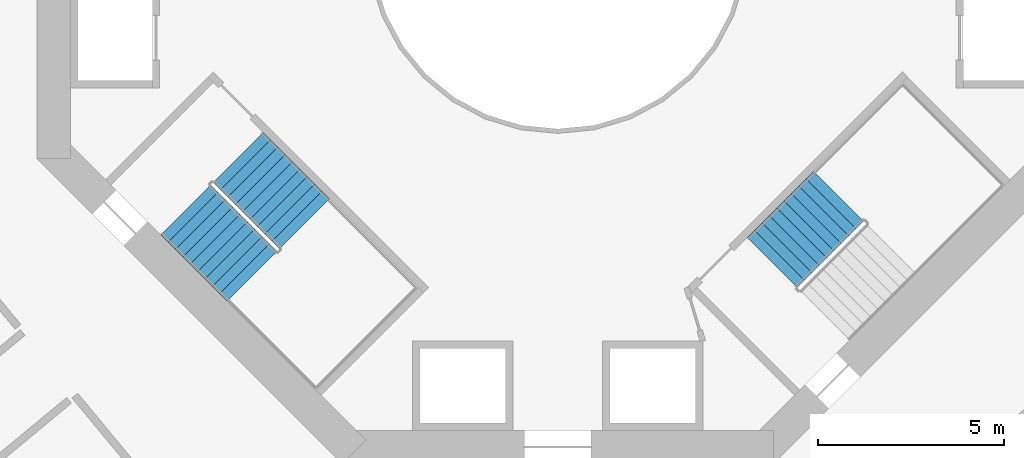
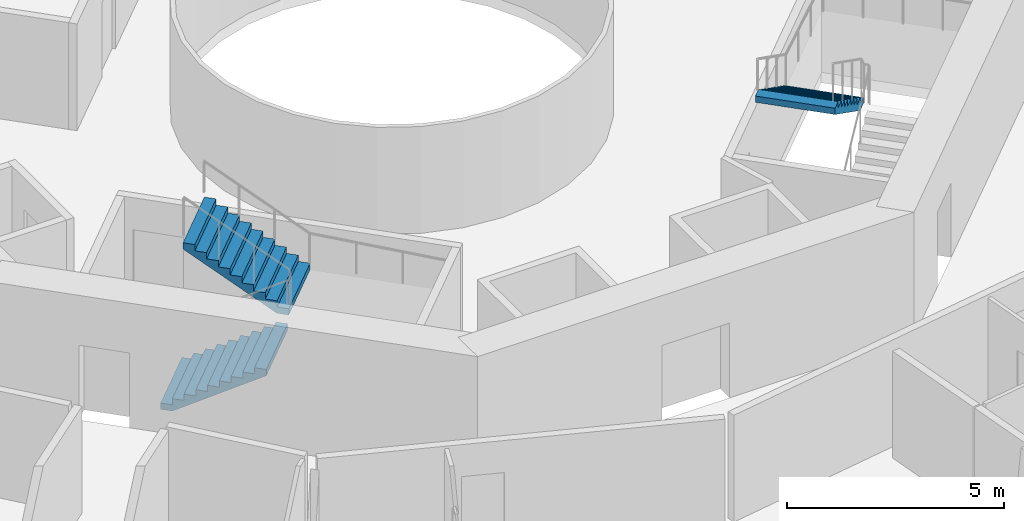
# One storey, part 25 of 27: 3 stair flights, 2 elements without a shape of their own.
"""IFC4 building model written with IfcOpenShell, lengths in metres."""

from ifc_helpers import new_model, si_unit, direction, frame, origin, place, context, subcontext, project, spatial, triangles, material, type_object, element, aggregate, save


model = new_model("IFC4")

# Units and contexts
model_context = context("Model", 3, precision=1e-05, world=origin(), true_north=direction((0.0, 1.0)))
body_context = subcontext(model_context, "Body", "Model", "MODEL_VIEW")
ifc_project = project(units=[si_unit("LENGTHUNIT", "METRE"), si_unit("AREAUNIT", "SQUARE_METRE"), si_unit("VOLUMEUNIT", "CUBIC_METRE"), si_unit("PLANEANGLEUNIT", "RADIAN"), si_unit("MASSUNIT", "GRAM", prefix="KILO")], contexts=[model_context])

# Site, building, storey
site_placement = place(None, origin())
site = spatial("IfcSite", under=ifc_project, at=site_placement, CompositionType="ELEMENT")
building_placement = place(site_placement, origin())
building = spatial("IfcBuilding", under=site, at=building_placement, Name="Verdalira Terraces Hotel", CompositionType="ELEMENT")
storey_placement = place(building_placement, frame((0.0, 0.0, 71.5)))
storey = spatial("IfcBuildingStorey", under=building, at=storey_placement, Name="L16", CompositionType="ELEMENT", Elevation=71.5)

# Stair, stair flights
ifc_material_1 = material(Name="Concrete C40", Category="concrete")
stair_type = type_object("IfcStairType", Name="Core stair 20 risers 1900 mm wide", PredefinedType="HALF_TURN_STAIR", material=ifc_material_1)
stair_1_placement = place(storey_placement, origin())
stair_1 = element("IfcStair", 1, at=stair_1_placement, inside=storey, type_object=stair_type, Name="L16 Exit stair ST2", PredefinedType="HALF_TURN_STAIR")
ifc_material_2 = material(Name="Concrete C40", Category="concrete")
stair_flight_type = type_object("IfcStairFlightType", Name="Core stair flight 20 risers 1900 mm wide", PredefinedType="STRAIGHT", material=ifc_material_2)
stair_flight_1_placement = place(storey_placement, frame((-10.005615, -7.177246, 0.0), z_axis=(0.0, 0.0, 1.0), x_axis=(0.707106781, -0.707106781, 0.0)))
stair_flight_1 = element("IfcStairFlight", 2, at=stair_flight_1_placement, type_object=stair_flight_type, Name="ST2 flight 1", NumberOfRisers=10, NumberOfTreads=9, PredefinedType="STRAIGHT", RiserHeight=0.175, TreadLength=0.28, context=body_context, shape_type="Tessellation", body=[
    triangles([(0.0, 0.949951, 0.0), (0.282715, 0.949951, 0.0), (2.52002, 0.949951, 1.398193), (0.0, -0.949951, 0.0), (0.282715, -0.949951, 0.0), (2.52002, -0.949951, 1.398193), (2.52002, 0.949951, 1.574951), (2.23999, 0.949951, 1.574951), (2.52002, -0.949951, 1.574951), (2.23999, -0.949951, 1.574951), (2.23999, 0.949951, 1.399902), (2.23999, -0.949951, 1.399902), (1.959961, 0.949951, 1.399902), (1.959961, -0.949951, 1.399902), (1.959961, 0.949951, 1.225098), (1.959961, -0.949951, 1.225098), (1.679932, 0.949951, 1.225098), (1.679932, 0.949951, 1.050049), (1.679932, -0.949951, 1.225098), (1.679932, -0.949951, 1.050049), (1.399902, 0.949951, 1.050049), (1.399902, 0.949951, 0.875), (1.399902, -0.949951, 1.050049), (1.399902, -0.949951, 0.875), (1.120117, 0.949951, 0.875), (1.120117, 0.949951, 0.699951), (1.120117, -0.949951, 0.875), (1.120117, -0.949951, 0.699951), (0.840088, 0.949951, 0.699951), (0.840088, 0.949951, 0.524902), (0.840088, -0.949951, 0.699951), (0.840088, -0.949951, 0.524902), (0.560059, 0.949951, 0.524902), (0.560059, 0.949951, 0.350098), (0.560059, -0.949951, 0.524902), (0.560059, -0.949951, 0.350098), (0.280029, 0.949951, 0.350098), (0.280029, 0.949951, 0.175049), (0.280029, -0.949951, 0.350098), (0.280029, -0.949951, 0.175049), (0.0, 0.949951, 0.175049), (0.0, -0.949951, 0.175049), (0.0, -0.890579, 0.0), (0.0, -0.890579, 0.175049), (0.0, -0.831207, 0.0), (0.0, -0.831207, 0.175049), (0.0, -0.771835, 0.0), (0.0, -0.771835, 0.175049), (0.0, -0.712463, 0.0), (0.0, -0.712463, 0.175049), (0.0, -0.653091, 0.0), (0.0, -0.653091, 0.175049), (0.0, -0.593719, 0.0), (0.0, -0.593719, 0.175049), (0.0, -0.534348, 0.0), (0.0, -0.534348, 0.175049), (0.0, -0.474976, 0.0), (0.0, -0.474976, 0.175049), (0.0, -0.415604, 0.0), (0.0, -0.415604, 0.175049), (0.0, -0.356232, 0.0), (0.0, -0.356232, 0.175049), (0.0, -0.29686, 0.0), (0.0, -0.29686, 0.175049), (0.0, -0.237488, 0.0), (0.0, -0.237488, 0.175049), (0.0, -0.178116, 0.0), (0.0, -0.178116, 0.175049), (0.0, -0.118744, 0.0), (0.0, -0.118744, 0.175049), (0.0, -0.059372, 0.0), (0.0, -0.059372, 0.175049), (0.0, 0.0, 0.0), (0.0, 0.0, 0.175049), (0.0, 0.059372, 0.0), (0.0, 0.059372, 0.175049), (0.0, 0.118744, 0.0), (0.0, 0.118744, 0.175049), (0.0, 0.178116, 0.0), (0.0, 0.178116, 0.175049), (0.0, 0.237488, 0.0), (0.0, 0.237488, 0.175049), (0.0, 0.29686, 0.0), (0.0, 0.29686, 0.175049), (0.0, 0.356232, 0.0), (0.0, 0.356232, 0.175049), (0.0, 0.415604, 0.0), (0.0, 0.415604, 0.175049), (0.0, 0.474976, 0.0), (0.0, 0.474976, 0.175049), (0.0, 0.534348, 0.0), (0.0, 0.534348, 0.175049), (0.0, 0.593719, 0.0), (0.0, 0.593719, 0.175049), (0.0, 0.653091, 0.0), (0.0, 0.653091, 0.175049), (0.0, 0.712463, 0.0), (0.0, 0.712463, 0.175049), (0.0, 0.771835, 0.0), (0.0, 0.771835, 0.175049), (0.0, 0.831207, 0.0), (0.0, 0.831207, 0.175049), (0.0, 0.890579, 0.0), (0.0, 0.890579, 0.175049), (2.52002, -0.890579, 1.574951), (2.52002, -0.831207, 1.574951), (2.52002, -0.771835, 1.574951), (2.52002, -0.712463, 1.574951), (2.52002, -0.653091, 1.574951), (2.52002, -0.593719, 1.574951), (2.52002, -0.534348, 1.574951), (2.52002, -0.474976, 1.574951), (2.52002, -0.415604, 1.574951), (2.52002, -0.356232, 1.574951), (2.52002, -0.29686, 1.574951), (2.52002, -0.237488, 1.574951), (2.52002, -0.178116, 1.574951), (2.52002, -0.118744, 1.574951), (2.52002, -0.059372, 1.574951), (2.52002, 0.0, 1.574951), (2.52002, 0.059372, 1.574951), (2.52002, 0.118744, 1.574951), (2.52002, 0.178116, 1.574951), (2.52002, 0.237488, 1.574951), (2.52002, 0.29686, 1.574951), (2.52002, 0.356232, 1.574951), (2.52002, 0.415604, 1.574951), (2.52002, 0.474976, 1.574951), (2.52002, 0.534348, 1.574951), (2.52002, 0.593719, 1.574951), (2.52002, 0.653091, 1.574951), (2.52002, 0.712463, 1.574951), (2.52002, 0.771835, 1.574951), (2.52002, 0.831207, 1.574951), (2.52002, 0.890579, 1.574951), (2.52002, -0.890579, 1.398193), (2.52002, -0.831207, 1.398193), (2.52002, -0.771835, 1.398193), (2.52002, -0.712463, 1.398193), (2.52002, -0.653091, 1.398193), (2.52002, -0.593719, 1.398193), (2.52002, -0.534348, 1.398193), (2.52002, -0.474976, 1.398193), (2.52002, -0.415604, 1.398193), (2.52002, -0.356232, 1.398193), (2.52002, -0.29686, 1.398193), (2.52002, -0.237488, 1.398193), (2.52002, -0.178116, 1.398193), (2.52002, -0.118744, 1.398193), (2.52002, -0.059372, 1.398193), (2.52002, 0.0, 1.398193), (2.52002, 0.059372, 1.398193), (2.52002, 0.118744, 1.398193), (2.52002, 0.178116, 1.398193), (2.52002, 0.237488, 1.398193), (2.52002, 0.29686, 1.398193), (2.52002, 0.356232, 1.398193), (2.52002, 0.415604, 1.398193), (2.52002, 0.474976, 1.398193), (2.52002, 0.534348, 1.398193), (2.52002, 0.593719, 1.398193), (2.52002, 0.653091, 1.398193), (2.52002, 0.712463, 1.398193), (2.52002, 0.771835, 1.398193), (2.52002, 0.831207, 1.398193), (2.52002, 0.890579, 1.398193)], [[1, 3, 2], [4, 5, 6], [3, 8, 7], [6, 9, 10], [3, 11, 8], [6, 10, 12], [3, 13, 11], [6, 12, 14], [3, 15, 13], [6, 14, 16], [15, 18, 17], [16, 19, 20], [3, 18, 15], [6, 16, 20], [18, 22, 21], [20, 23, 24], [3, 22, 18], [6, 20, 24], [22, 26, 25], [24, 27, 28], [3, 26, 22], [6, 24, 28], [26, 30, 29], [28, 31, 32], [3, 30, 26], [6, 28, 32], [1, 30, 3], [4, 6, 32], [30, 34, 33], [32, 35, 36], [34, 38, 37], [36, 39, 40], [30, 38, 34], [32, 36, 40], [1, 38, 30], [4, 32, 40], [38, 1, 41], [40, 42, 4], [4, 44, 43], [4, 42, 44], [43, 46, 45], [43, 44, 46], [45, 48, 47], [45, 46, 48], [47, 50, 49], [47, 48, 50], [49, 52, 51], [49, 50, 52], [51, 54, 53], [51, 52, 54], [53, 56, 55], [53, 54, 56], [55, 58, 57], [55, 56, 58], [57, 60, 59], [57, 58, 60], [59, 62, 61], [59, 60, 62], [61, 64, 63], [61, 62, 64], [63, 66, 65], [63, 64, 66], [65, 68, 67], [65, 66, 68], [67, 70, 69], [67, 68, 70], [69, 72, 71], [69, 70, 72], [71, 74, 73], [71, 72, 74], [73, 76, 75], [73, 74, 76], [75, 78, 77], [75, 76, 78], [77, 80, 79], [77, 78, 80], [79, 82, 81], [79, 80, 82], [81, 84, 83], [81, 82, 84], [83, 86, 85], [83, 84, 86], [85, 88, 87], [85, 86, 88], [87, 90, 89], [87, 88, 90], [89, 92, 91], [89, 90, 92], [91, 94, 93], [91, 92, 94], [93, 96, 95], [93, 94, 96], [95, 98, 97], [95, 96, 98], [97, 100, 99], [97, 98, 100], [99, 102, 101], [99, 100, 102], [101, 104, 103], [101, 102, 104], [103, 41, 1], [103, 104, 41], [42, 40, 44], [44, 40, 46], [46, 40, 48], [48, 40, 50], [50, 40, 52], [52, 40, 54], [54, 40, 56], [56, 40, 58], [58, 40, 60], [60, 40, 62], [62, 40, 64], [64, 40, 66], [66, 40, 68], [68, 40, 70], [70, 40, 72], [72, 40, 74], [74, 40, 76], [76, 40, 78], [78, 40, 80], [80, 40, 82], [82, 40, 84], [84, 40, 86], [86, 40, 88], [88, 40, 90], [90, 40, 92], [92, 40, 94], [94, 40, 96], [96, 40, 98], [98, 40, 100], [100, 40, 102], [102, 40, 104], [104, 40, 41], [41, 40, 38], [40, 37, 38], [40, 39, 37], [39, 34, 37], [39, 36, 34], [36, 33, 34], [36, 35, 33], [35, 30, 33], [35, 32, 30], [32, 29, 30], [32, 31, 29], [31, 26, 29], [31, 28, 26], [28, 25, 26], [28, 27, 25], [27, 22, 25], [27, 24, 22], [24, 21, 22], [24, 23, 21], [23, 18, 21], [23, 20, 18], [20, 17, 18], [20, 19, 17], [19, 15, 17], [19, 16, 15], [16, 13, 15], [16, 14, 13], [14, 11, 13], [14, 12, 11], [12, 8, 11], [12, 10, 8], [9, 105, 10], [105, 106, 10], [106, 107, 10], [107, 108, 10], [108, 109, 10], [109, 110, 10], [110, 111, 10], [111, 112, 10], [112, 113, 10], [113, 114, 10], [114, 115, 10], [115, 116, 10], [116, 117, 10], [117, 118, 10], [118, 119, 10], [119, 120, 10], [120, 121, 10], [121, 122, 10], [122, 123, 10], [123, 124, 10], [124, 125, 10], [125, 126, 10], [126, 127, 10], [127, 128, 10], [128, 129, 10], [129, 130, 10], [130, 131, 10], [131, 132, 10], [132, 133, 10], [133, 134, 10], [134, 135, 10], [135, 7, 10], [7, 8, 10], [9, 136, 105], [9, 6, 136], [105, 137, 106], [105, 136, 137], [106, 138, 107], [106, 137, 138], [107, 139, 108], [107, 138, 139], [108, 140, 109], [108, 139, 140], [109, 141, 110], [109, 140, 141], [110, 142, 111], [110, 141, 142], [111, 143, 112], [111, 142, 143], [112, 144, 113], [112, 143, 144], [113, 145, 114], [113, 144, 145], [114, 146, 115], [114, 145, 146], [115, 147, 116], [115, 146, 147], [116, 148, 117], [116, 147, 148], [117, 149, 118], [117, 148, 149], [118, 150, 119], [118, 149, 150], [119, 151, 120], [119, 150, 151], [120, 152, 121], [120, 151, 152], [121, 153, 122], [121, 152, 153], [122, 154, 123], [122, 153, 154], [123, 155, 124], [123, 154, 155], [124, 156, 125], [124, 155, 156], [125, 157, 126], [125, 156, 157], [126, 158, 127], [126, 157, 158], [127, 159, 128], [127, 158, 159], [128, 160, 129], [128, 159, 160], [129, 161, 130], [129, 160, 161], [130, 162, 131], [130, 161, 162], [131, 163, 132], [131, 162, 163], [132, 164, 133], [132, 163, 164], [133, 165, 134], [133, 164, 165], [134, 166, 135], [134, 165, 166], [135, 3, 7], [135, 166, 3], [6, 5, 136], [136, 5, 137], [137, 5, 138], [138, 5, 139], [139, 5, 140], [140, 5, 141], [141, 5, 142], [142, 5, 143], [143, 5, 144], [144, 5, 145], [145, 5, 146], [146, 5, 147], [147, 5, 148], [148, 5, 149], [149, 5, 150], [150, 5, 151], [151, 5, 152], [152, 5, 153], [153, 5, 154], [154, 5, 155], [155, 5, 156], [156, 5, 157], [157, 5, 158], [158, 5, 159], [159, 5, 160], [160, 5, 161], [161, 5, 162], [162, 5, 163], [163, 5, 164], [164, 5, 165], [165, 5, 166], [166, 5, 3], [3, 5, 2], [4, 43, 5], [43, 45, 5], [45, 47, 5], [47, 49, 5], [49, 51, 5], [51, 53, 5], [53, 55, 5], [55, 57, 5], [57, 59, 5], [59, 61, 5], [61, 63, 5], [63, 65, 5], [65, 67, 5], [67, 69, 5], [69, 71, 5], [71, 73, 5], [73, 75, 5], [75, 77, 5], [77, 79, 5], [79, 81, 5], [81, 83, 5], [83, 85, 5], [85, 87, 5], [87, 89, 5], [89, 91, 5], [91, 93, 5], [93, 95, 5], [95, 97, 5], [97, 99, 5], [99, 101, 5], [101, 103, 5], [103, 1, 5], [1, 2, 5]], closed=True),
])
stair_flight_2_placement = place(storey_placement, frame((-6.809326, -7.544922, 1.75), z_axis=(0.0, 0.0, 1.0), x_axis=(-0.707106781, 0.707106781, 0.0)))
stair_flight_2 = element("IfcStairFlight", 3, at=stair_flight_2_placement, type_object=stair_flight_type, Name="ST2 flight 2", NumberOfRisers=10, NumberOfTreads=9, PredefinedType="STRAIGHT", RiserHeight=0.175, TreadLength=0.28, context=body_context, shape_type="Tessellation", body=[
    triangles([(0.0, 0.949951, 0.0), (0.282715, 0.949951, 0.0), (2.52002, 0.949951, 1.398193), (0.0, -0.949951, 0.0), (0.282715, -0.949951, 0.0), (2.52002, -0.949951, 1.398193), (2.52002, 0.949951, 1.574951), (2.23999, 0.949951, 1.574951), (2.52002, -0.949951, 1.574951), (2.23999, -0.949951, 1.574951), (2.23999, 0.949951, 1.399902), (2.23999, -0.949951, 1.399902), (1.959961, 0.949951, 1.399902), (1.959961, -0.949951, 1.399902), (1.959961, 0.949951, 1.225098), (1.959961, -0.949951, 1.225098), (1.679932, 0.949951, 1.225098), (1.679932, 0.949951, 1.050049), (1.679932, -0.949951, 1.225098), (1.679932, -0.949951, 1.050049), (1.399902, 0.949951, 1.050049), (1.399902, 0.949951, 0.875), (1.399902, -0.949951, 1.050049), (1.399902, -0.949951, 0.875), (1.120117, 0.949951, 0.875), (1.120117, 0.949951, 0.699951), (1.120117, -0.949951, 0.875), (1.120117, -0.949951, 0.699951), (0.840088, 0.949951, 0.699951), (0.840088, 0.949951, 0.524902), (0.840088, -0.949951, 0.699951), (0.840088, -0.949951, 0.524902), (0.560059, 0.949951, 0.524902), (0.560059, 0.949951, 0.350098), (0.560059, -0.949951, 0.524902), (0.560059, -0.949951, 0.350098), (0.280029, 0.949951, 0.350098), (0.280029, 0.949951, 0.175049), (0.280029, -0.949951, 0.350098), (0.280029, -0.949951, 0.175049), (0.0, 0.949951, 0.175049), (0.0, -0.949951, 0.175049), (0.0, -0.890579, 0.0), (0.0, -0.890579, 0.175049), (0.0, -0.831207, 0.0), (0.0, -0.831207, 0.175049), (0.0, -0.771835, 0.0), (0.0, -0.771835, 0.175049), (0.0, -0.712463, 0.0), (0.0, -0.712463, 0.175049), (0.0, -0.653091, 0.0), (0.0, -0.653091, 0.175049), (0.0, -0.593719, 0.0), (0.0, -0.593719, 0.175049), (0.0, -0.534348, 0.0), (0.0, -0.534348, 0.175049), (0.0, -0.474976, 0.0), (0.0, -0.474976, 0.175049), (0.0, -0.415604, 0.0), (0.0, -0.415604, 0.175049), (0.0, -0.356232, 0.0), (0.0, -0.356232, 0.175049), (0.0, -0.29686, 0.0), (0.0, -0.29686, 0.175049), (0.0, -0.237488, 0.0), (0.0, -0.237488, 0.175049), (0.0, -0.178116, 0.0), (0.0, -0.178116, 0.175049), (0.0, -0.118744, 0.0), (0.0, -0.118744, 0.175049), (0.0, -0.059372, 0.0), (0.0, -0.059372, 0.175049), (0.0, 0.0, 0.0), (0.0, 0.0, 0.175049), (0.0, 0.059372, 0.0), (0.0, 0.059372, 0.175049), (0.0, 0.118744, 0.0), (0.0, 0.118744, 0.175049), (0.0, 0.178116, 0.0), (0.0, 0.178116, 0.175049), (0.0, 0.237488, 0.0), (0.0, 0.237488, 0.175049), (0.0, 0.29686, 0.0), (0.0, 0.29686, 0.175049), (0.0, 0.356232, 0.0), (0.0, 0.356232, 0.175049), (0.0, 0.415604, 0.0), (0.0, 0.415604, 0.175049), (0.0, 0.474976, 0.0), (0.0, 0.474976, 0.175049), (0.0, 0.534348, 0.0), (0.0, 0.534348, 0.175049), (0.0, 0.593719, 0.0), (0.0, 0.593719, 0.175049), (0.0, 0.653091, 0.0), (0.0, 0.653091, 0.175049), (0.0, 0.712463, 0.0), (0.0, 0.712463, 0.175049), (0.0, 0.771835, 0.0), (0.0, 0.771835, 0.175049), (0.0, 0.831207, 0.0), (0.0, 0.831207, 0.175049), (0.0, 0.890579, 0.0), (0.0, 0.890579, 0.175049), (2.52002, -0.890579, 1.574951), (2.52002, -0.831207, 1.574951), (2.52002, -0.771835, 1.574951), (2.52002, -0.712463, 1.574951), (2.52002, -0.653091, 1.574951), (2.52002, -0.593719, 1.574951), (2.52002, -0.534348, 1.574951), (2.52002, -0.474976, 1.574951), (2.52002, -0.415604, 1.574951), (2.52002, -0.356232, 1.574951), (2.52002, -0.29686, 1.574951), (2.52002, -0.237488, 1.574951), (2.52002, -0.178116, 1.574951), (2.52002, -0.118744, 1.574951), (2.52002, -0.059372, 1.574951), (2.52002, 0.0, 1.574951), (2.52002, 0.059372, 1.574951), (2.52002, 0.118744, 1.574951), (2.52002, 0.178116, 1.574951), (2.52002, 0.237488, 1.574951), (2.52002, 0.29686, 1.574951), (2.52002, 0.356232, 1.574951), (2.52002, 0.415604, 1.574951), (2.52002, 0.474976, 1.574951), (2.52002, 0.534348, 1.574951), (2.52002, 0.593719, 1.574951), (2.52002, 0.653091, 1.574951), (2.52002, 0.712463, 1.574951), (2.52002, 0.771835, 1.574951), (2.52002, 0.831207, 1.574951), (2.52002, 0.890579, 1.574951), (2.52002, -0.890579, 1.398193), (2.52002, -0.831207, 1.398193), (2.52002, -0.771835, 1.398193), (2.52002, -0.712463, 1.398193), (2.52002, -0.653091, 1.398193), (2.52002, -0.593719, 1.398193), (2.52002, -0.534348, 1.398193), (2.52002, -0.474976, 1.398193), (2.52002, -0.415604, 1.398193), (2.52002, -0.356232, 1.398193), (2.52002, -0.29686, 1.398193), (2.52002, -0.237488, 1.398193), (2.52002, -0.178116, 1.398193), (2.52002, -0.118744, 1.398193), (2.52002, -0.059372, 1.398193), (2.52002, 0.0, 1.398193), (2.52002, 0.059372, 1.398193), (2.52002, 0.118744, 1.398193), (2.52002, 0.178116, 1.398193), (2.52002, 0.237488, 1.398193), (2.52002, 0.29686, 1.398193), (2.52002, 0.356232, 1.398193), (2.52002, 0.415604, 1.398193), (2.52002, 0.474976, 1.398193), (2.52002, 0.534348, 1.398193), (2.52002, 0.593719, 1.398193), (2.52002, 0.653091, 1.398193), (2.52002, 0.712463, 1.398193), (2.52002, 0.771835, 1.398193), (2.52002, 0.831207, 1.398193), (2.52002, 0.890579, 1.398193)], [[1, 3, 2], [4, 5, 6], [3, 8, 7], [6, 9, 10], [3, 11, 8], [6, 10, 12], [3, 13, 11], [6, 12, 14], [3, 15, 13], [6, 14, 16], [15, 18, 17], [16, 19, 20], [3, 18, 15], [6, 16, 20], [18, 22, 21], [20, 23, 24], [3, 22, 18], [6, 20, 24], [22, 26, 25], [24, 27, 28], [3, 26, 22], [6, 24, 28], [26, 30, 29], [28, 31, 32], [3, 30, 26], [6, 28, 32], [1, 30, 3], [4, 6, 32], [30, 34, 33], [32, 35, 36], [34, 38, 37], [36, 39, 40], [30, 38, 34], [32, 36, 40], [1, 38, 30], [4, 32, 40], [38, 1, 41], [40, 42, 4], [4, 44, 43], [4, 42, 44], [43, 46, 45], [43, 44, 46], [45, 48, 47], [45, 46, 48], [47, 50, 49], [47, 48, 50], [49, 52, 51], [49, 50, 52], [51, 54, 53], [51, 52, 54], [53, 56, 55], [53, 54, 56], [55, 58, 57], [55, 56, 58], [57, 60, 59], [57, 58, 60], [59, 62, 61], [59, 60, 62], [61, 64, 63], [61, 62, 64], [63, 66, 65], [63, 64, 66], [65, 68, 67], [65, 66, 68], [67, 70, 69], [67, 68, 70], [69, 72, 71], [69, 70, 72], [71, 74, 73], [71, 72, 74], [73, 76, 75], [73, 74, 76], [75, 78, 77], [75, 76, 78], [77, 80, 79], [77, 78, 80], [79, 82, 81], [79, 80, 82], [81, 84, 83], [81, 82, 84], [83, 86, 85], [83, 84, 86], [85, 88, 87], [85, 86, 88], [87, 90, 89], [87, 88, 90], [89, 92, 91], [89, 90, 92], [91, 94, 93], [91, 92, 94], [93, 96, 95], [93, 94, 96], [95, 98, 97], [95, 96, 98], [97, 100, 99], [97, 98, 100], [99, 102, 101], [99, 100, 102], [101, 104, 103], [101, 102, 104], [103, 41, 1], [103, 104, 41], [42, 40, 44], [44, 40, 46], [46, 40, 48], [48, 40, 50], [50, 40, 52], [52, 40, 54], [54, 40, 56], [56, 40, 58], [58, 40, 60], [60, 40, 62], [62, 40, 64], [64, 40, 66], [66, 40, 68], [68, 40, 70], [70, 40, 72], [72, 40, 74], [74, 40, 76], [76, 40, 78], [78, 40, 80], [80, 40, 82], [82, 40, 84], [84, 40, 86], [86, 40, 88], [88, 40, 90], [90, 40, 92], [92, 40, 94], [94, 40, 96], [96, 40, 98], [98, 40, 100], [100, 40, 102], [102, 40, 104], [104, 40, 41], [41, 40, 38], [40, 37, 38], [40, 39, 37], [39, 34, 37], [39, 36, 34], [36, 33, 34], [36, 35, 33], [35, 30, 33], [35, 32, 30], [32, 29, 30], [32, 31, 29], [31, 26, 29], [31, 28, 26], [28, 25, 26], [28, 27, 25], [27, 22, 25], [27, 24, 22], [24, 21, 22], [24, 23, 21], [23, 18, 21], [23, 20, 18], [20, 17, 18], [20, 19, 17], [19, 15, 17], [19, 16, 15], [16, 13, 15], [16, 14, 13], [14, 11, 13], [14, 12, 11], [12, 8, 11], [12, 10, 8], [9, 105, 10], [105, 106, 10], [106, 107, 10], [107, 108, 10], [108, 109, 10], [109, 110, 10], [110, 111, 10], [111, 112, 10], [112, 113, 10], [113, 114, 10], [114, 115, 10], [115, 116, 10], [116, 117, 10], [117, 118, 10], [118, 119, 10], [119, 120, 10], [120, 121, 10], [121, 122, 10], [122, 123, 10], [123, 124, 10], [124, 125, 10], [125, 126, 10], [126, 127, 10], [127, 128, 10], [128, 129, 10], [129, 130, 10], [130, 131, 10], [131, 132, 10], [132, 133, 10], [133, 134, 10], [134, 135, 10], [135, 7, 10], [7, 8, 10], [9, 136, 105], [9, 6, 136], [105, 137, 106], [105, 136, 137], [106, 138, 107], [106, 137, 138], [107, 139, 108], [107, 138, 139], [108, 140, 109], [108, 139, 140], [109, 141, 110], [109, 140, 141], [110, 142, 111], [110, 141, 142], [111, 143, 112], [111, 142, 143], [112, 144, 113], [112, 143, 144], [113, 145, 114], [113, 144, 145], [114, 146, 115], [114, 145, 146], [115, 147, 116], [115, 146, 147], [116, 148, 117], [116, 147, 148], [117, 149, 118], [117, 148, 149], [118, 150, 119], [118, 149, 150], [119, 151, 120], [119, 150, 151], [120, 152, 121], [120, 151, 152], [121, 153, 122], [121, 152, 153], [122, 154, 123], [122, 153, 154], [123, 155, 124], [123, 154, 155], [124, 156, 125], [124, 155, 156], [125, 157, 126], [125, 156, 157], [126, 158, 127], [126, 157, 158], [127, 159, 128], [127, 158, 159], [128, 160, 129], [128, 159, 160], [129, 161, 130], [129, 160, 161], [130, 162, 131], [130, 161, 162], [131, 163, 132], [131, 162, 163], [132, 164, 133], [132, 163, 164], [133, 165, 134], [133, 164, 165], [134, 166, 135], [134, 165, 166], [135, 3, 7], [135, 166, 3], [6, 5, 136], [136, 5, 137], [137, 5, 138], [138, 5, 139], [139, 5, 140], [140, 5, 141], [141, 5, 142], [142, 5, 143], [143, 5, 144], [144, 5, 145], [145, 5, 146], [146, 5, 147], [147, 5, 148], [148, 5, 149], [149, 5, 150], [150, 5, 151], [151, 5, 152], [152, 5, 153], [153, 5, 154], [154, 5, 155], [155, 5, 156], [156, 5, 157], [157, 5, 158], [158, 5, 159], [159, 5, 160], [160, 5, 161], [161, 5, 162], [162, 5, 163], [163, 5, 164], [164, 5, 165], [165, 5, 166], [166, 5, 3], [3, 5, 2], [4, 43, 5], [43, 45, 5], [45, 47, 5], [47, 49, 5], [49, 51, 5], [51, 53, 5], [53, 55, 5], [55, 57, 5], [57, 59, 5], [59, 61, 5], [61, 63, 5], [63, 65, 5], [65, 67, 5], [67, 69, 5], [69, 71, 5], [71, 73, 5], [73, 75, 5], [75, 77, 5], [77, 79, 5], [79, 81, 5], [81, 83, 5], [83, 85, 5], [85, 87, 5], [87, 89, 5], [89, 91, 5], [91, 93, 5], [93, 95, 5], [95, 97, 5], [97, 99, 5], [99, 101, 5], [101, 103, 5], [103, 1, 5], [1, 2, 5]], closed=True),
])
aggregate(stair_1, [stair_flight_1, stair_flight_2])

# Stair, stair flight
stair_2_placement = place(storey_placement, origin())
stair_2 = element("IfcStair", 4, at=stair_2_placement, inside=storey, type_object=stair_type, Name="L16 Exit stair ST3", PredefinedType="HALF_TURN_STAIR")
stair_flight_3_placement = place(storey_placement, frame((7.544922, -6.809326, 1.75), z_axis=(0.0, 0.0, 1.0), x_axis=(-0.707106781, -0.707106781, 0.0)))
stair_flight_3 = element("IfcStairFlight", 5, at=stair_flight_3_placement, type_object=stair_flight_type, Name="ST3 flight 2", NumberOfRisers=10, NumberOfTreads=9, PredefinedType="STRAIGHT", RiserHeight=0.175, TreadLength=0.28, context=body_context, shape_type="Tessellation", body=[
    triangles([(0.0, 0.949951, 0.0), (0.282715, 0.949951, 0.0), (2.52002, 0.949951, 1.398193), (0.0, -0.949951, 0.0), (0.282715, -0.949951, 0.0), (2.52002, -0.949951, 1.398193), (2.52002, 0.949951, 1.574951), (2.23999, 0.949951, 1.574951), (2.52002, -0.949951, 1.574951), (2.23999, -0.949951, 1.574951), (2.23999, 0.949951, 1.399902), (2.23999, -0.949951, 1.399902), (1.959961, 0.949951, 1.399902), (1.959961, -0.949951, 1.399902), (1.959961, 0.949951, 1.225098), (1.959961, -0.949951, 1.225098), (1.679932, 0.949951, 1.225098), (1.679932, 0.949951, 1.050049), (1.679932, -0.949951, 1.225098), (1.679932, -0.949951, 1.050049), (1.399902, 0.949951, 1.050049), (1.399902, 0.949951, 0.875), (1.399902, -0.949951, 1.050049), (1.399902, -0.949951, 0.875), (1.120117, 0.949951, 0.875), (1.120117, 0.949951, 0.699951), (1.120117, -0.949951, 0.875), (1.120117, -0.949951, 0.699951), (0.840088, 0.949951, 0.699951), (0.840088, 0.949951, 0.524902), (0.840088, -0.949951, 0.699951), (0.840088, -0.949951, 0.524902), (0.560059, 0.949951, 0.524902), (0.560059, 0.949951, 0.350098), (0.560059, -0.949951, 0.524902), (0.560059, -0.949951, 0.350098), (0.280029, 0.949951, 0.350098), (0.280029, 0.949951, 0.175049), (0.280029, -0.949951, 0.350098), (0.280029, -0.949951, 0.175049), (0.0, 0.949951, 0.175049), (0.0, -0.949951, 0.175049), (0.0, -0.890579, 0.0), (0.0, -0.890579, 0.175049), (0.0, -0.831207, 0.0), (0.0, -0.831207, 0.175049), (0.0, -0.771835, 0.0), (0.0, -0.771835, 0.175049), (0.0, -0.712463, 0.0), (0.0, -0.712463, 0.175049), (0.0, -0.653091, 0.0), (0.0, -0.653091, 0.175049), (0.0, -0.593719, 0.0), (0.0, -0.593719, 0.175049), (0.0, -0.534348, 0.0), (0.0, -0.534348, 0.175049), (0.0, -0.474976, 0.0), (0.0, -0.474976, 0.175049), (0.0, -0.415604, 0.0), (0.0, -0.415604, 0.175049), (0.0, -0.356232, 0.0), (0.0, -0.356232, 0.175049), (0.0, -0.29686, 0.0), (0.0, -0.29686, 0.175049), (0.0, -0.237488, 0.0), (0.0, -0.237488, 0.175049), (0.0, -0.178116, 0.0), (0.0, -0.178116, 0.175049), (0.0, -0.118744, 0.0), (0.0, -0.118744, 0.175049), (0.0, -0.059372, 0.0), (0.0, -0.059372, 0.175049), (0.0, 0.0, 0.0), (0.0, 0.0, 0.175049), (0.0, 0.059372, 0.0), (0.0, 0.059372, 0.175049), (0.0, 0.118744, 0.0), (0.0, 0.118744, 0.175049), (0.0, 0.178116, 0.0), (0.0, 0.178116, 0.175049), (0.0, 0.237488, 0.0), (0.0, 0.237488, 0.175049), (0.0, 0.29686, 0.0), (0.0, 0.29686, 0.175049), (0.0, 0.356232, 0.0), (0.0, 0.356232, 0.175049), (0.0, 0.415604, 0.0), (0.0, 0.415604, 0.175049), (0.0, 0.474976, 0.0), (0.0, 0.474976, 0.175049), (0.0, 0.534348, 0.0), (0.0, 0.534348, 0.175049), (0.0, 0.593719, 0.0), (0.0, 0.593719, 0.175049), (0.0, 0.653091, 0.0), (0.0, 0.653091, 0.175049), (0.0, 0.712463, 0.0), (0.0, 0.712463, 0.175049), (0.0, 0.771835, 0.0), (0.0, 0.771835, 0.175049), (0.0, 0.831207, 0.0), (0.0, 0.831207, 0.175049), (0.0, 0.890579, 0.0), (0.0, 0.890579, 0.175049), (2.52002, -0.890579, 1.574951), (2.52002, -0.831207, 1.574951), (2.52002, -0.771835, 1.574951), (2.52002, -0.712463, 1.574951), (2.52002, -0.653091, 1.574951), (2.52002, -0.593719, 1.574951), (2.52002, -0.534348, 1.574951), (2.52002, -0.474976, 1.574951), (2.52002, -0.415604, 1.574951), (2.52002, -0.356232, 1.574951), (2.52002, -0.29686, 1.574951), (2.52002, -0.237488, 1.574951), (2.52002, -0.178116, 1.574951), (2.52002, -0.118744, 1.574951), (2.52002, -0.059372, 1.574951), (2.52002, 0.0, 1.574951), (2.52002, 0.059372, 1.574951), (2.52002, 0.118744, 1.574951), (2.52002, 0.178116, 1.574951), (2.52002, 0.237488, 1.574951), (2.52002, 0.29686, 1.574951), (2.52002, 0.356232, 1.574951), (2.52002, 0.415604, 1.574951), (2.52002, 0.474976, 1.574951), (2.52002, 0.534348, 1.574951), (2.52002, 0.593719, 1.574951), (2.52002, 0.653091, 1.574951), (2.52002, 0.712463, 1.574951), (2.52002, 0.771835, 1.574951), (2.52002, 0.831207, 1.574951), (2.52002, 0.890579, 1.574951), (2.52002, -0.890579, 1.398193), (2.52002, -0.831207, 1.398193), (2.52002, -0.771835, 1.398193), (2.52002, -0.712463, 1.398193), (2.52002, -0.653091, 1.398193), (2.52002, -0.593719, 1.398193), (2.52002, -0.534348, 1.398193), (2.52002, -0.474976, 1.398193), (2.52002, -0.415604, 1.398193), (2.52002, -0.356232, 1.398193), (2.52002, -0.29686, 1.398193), (2.52002, -0.237488, 1.398193), (2.52002, -0.178116, 1.398193), (2.52002, -0.118744, 1.398193), (2.52002, -0.059372, 1.398193), (2.52002, 0.0, 1.398193), (2.52002, 0.059372, 1.398193), (2.52002, 0.118744, 1.398193), (2.52002, 0.178116, 1.398193), (2.52002, 0.237488, 1.398193), (2.52002, 0.29686, 1.398193), (2.52002, 0.356232, 1.398193), (2.52002, 0.415604, 1.398193), (2.52002, 0.474976, 1.398193), (2.52002, 0.534348, 1.398193), (2.52002, 0.593719, 1.398193), (2.52002, 0.653091, 1.398193), (2.52002, 0.712463, 1.398193), (2.52002, 0.771835, 1.398193), (2.52002, 0.831207, 1.398193), (2.52002, 0.890579, 1.398193)], [[1, 3, 2], [4, 5, 6], [3, 8, 7], [6, 9, 10], [3, 11, 8], [6, 10, 12], [3, 13, 11], [6, 12, 14], [3, 15, 13], [6, 14, 16], [15, 18, 17], [16, 19, 20], [3, 18, 15], [6, 16, 20], [18, 22, 21], [20, 23, 24], [3, 22, 18], [6, 20, 24], [22, 26, 25], [24, 27, 28], [3, 26, 22], [6, 24, 28], [26, 30, 29], [28, 31, 32], [3, 30, 26], [6, 28, 32], [1, 30, 3], [4, 6, 32], [30, 34, 33], [32, 35, 36], [34, 38, 37], [36, 39, 40], [30, 38, 34], [32, 36, 40], [1, 38, 30], [4, 32, 40], [38, 1, 41], [40, 42, 4], [4, 44, 43], [4, 42, 44], [43, 46, 45], [43, 44, 46], [45, 48, 47], [45, 46, 48], [47, 50, 49], [47, 48, 50], [49, 52, 51], [49, 50, 52], [51, 54, 53], [51, 52, 54], [53, 56, 55], [53, 54, 56], [55, 58, 57], [55, 56, 58], [57, 60, 59], [57, 58, 60], [59, 62, 61], [59, 60, 62], [61, 64, 63], [61, 62, 64], [63, 66, 65], [63, 64, 66], [65, 68, 67], [65, 66, 68], [67, 70, 69], [67, 68, 70], [69, 72, 71], [69, 70, 72], [71, 74, 73], [71, 72, 74], [73, 76, 75], [73, 74, 76], [75, 78, 77], [75, 76, 78], [77, 80, 79], [77, 78, 80], [79, 82, 81], [79, 80, 82], [81, 84, 83], [81, 82, 84], [83, 86, 85], [83, 84, 86], [85, 88, 87], [85, 86, 88], [87, 90, 89], [87, 88, 90], [89, 92, 91], [89, 90, 92], [91, 94, 93], [91, 92, 94], [93, 96, 95], [93, 94, 96], [95, 98, 97], [95, 96, 98], [97, 100, 99], [97, 98, 100], [99, 102, 101], [99, 100, 102], [101, 104, 103], [101, 102, 104], [103, 41, 1], [103, 104, 41], [42, 40, 44], [44, 40, 46], [46, 40, 48], [48, 40, 50], [50, 40, 52], [52, 40, 54], [54, 40, 56], [56, 40, 58], [58, 40, 60], [60, 40, 62], [62, 40, 64], [64, 40, 66], [66, 40, 68], [68, 40, 70], [70, 40, 72], [72, 40, 74], [74, 40, 76], [76, 40, 78], [78, 40, 80], [80, 40, 82], [82, 40, 84], [84, 40, 86], [86, 40, 88], [88, 40, 90], [90, 40, 92], [92, 40, 94], [94, 40, 96], [96, 40, 98], [98, 40, 100], [100, 40, 102], [102, 40, 104], [104, 40, 41], [41, 40, 38], [40, 37, 38], [40, 39, 37], [39, 34, 37], [39, 36, 34], [36, 33, 34], [36, 35, 33], [35, 30, 33], [35, 32, 30], [32, 29, 30], [32, 31, 29], [31, 26, 29], [31, 28, 26], [28, 25, 26], [28, 27, 25], [27, 22, 25], [27, 24, 22], [24, 21, 22], [24, 23, 21], [23, 18, 21], [23, 20, 18], [20, 17, 18], [20, 19, 17], [19, 15, 17], [19, 16, 15], [16, 13, 15], [16, 14, 13], [14, 11, 13], [14, 12, 11], [12, 8, 11], [12, 10, 8], [9, 105, 10], [105, 106, 10], [106, 107, 10], [107, 108, 10], [108, 109, 10], [109, 110, 10], [110, 111, 10], [111, 112, 10], [112, 113, 10], [113, 114, 10], [114, 115, 10], [115, 116, 10], [116, 117, 10], [117, 118, 10], [118, 119, 10], [119, 120, 10], [120, 121, 10], [121, 122, 10], [122, 123, 10], [123, 124, 10], [124, 125, 10], [125, 126, 10], [126, 127, 10], [127, 128, 10], [128, 129, 10], [129, 130, 10], [130, 131, 10], [131, 132, 10], [132, 133, 10], [133, 134, 10], [134, 135, 10], [135, 7, 10], [7, 8, 10], [9, 136, 105], [9, 6, 136], [105, 137, 106], [105, 136, 137], [106, 138, 107], [106, 137, 138], [107, 139, 108], [107, 138, 139], [108, 140, 109], [108, 139, 140], [109, 141, 110], [109, 140, 141], [110, 142, 111], [110, 141, 142], [111, 143, 112], [111, 142, 143], [112, 144, 113], [112, 143, 144], [113, 145, 114], [113, 144, 145], [114, 146, 115], [114, 145, 146], [115, 147, 116], [115, 146, 147], [116, 148, 117], [116, 147, 148], [117, 149, 118], [117, 148, 149], [118, 150, 119], [118, 149, 150], [119, 151, 120], [119, 150, 151], [120, 152, 121], [120, 151, 152], [121, 153, 122], [121, 152, 153], [122, 154, 123], [122, 153, 154], [123, 155, 124], [123, 154, 155], [124, 156, 125], [124, 155, 156], [125, 157, 126], [125, 156, 157], [126, 158, 127], [126, 157, 158], [127, 159, 128], [127, 158, 159], [128, 160, 129], [128, 159, 160], [129, 161, 130], [129, 160, 161], [130, 162, 131], [130, 161, 162], [131, 163, 132], [131, 162, 163], [132, 164, 133], [132, 163, 164], [133, 165, 134], [133, 164, 165], [134, 166, 135], [134, 165, 166], [135, 3, 7], [135, 166, 3], [6, 5, 136], [136, 5, 137], [137, 5, 138], [138, 5, 139], [139, 5, 140], [140, 5, 141], [141, 5, 142], [142, 5, 143], [143, 5, 144], [144, 5, 145], [145, 5, 146], [146, 5, 147], [147, 5, 148], [148, 5, 149], [149, 5, 150], [150, 5, 151], [151, 5, 152], [152, 5, 153], [153, 5, 154], [154, 5, 155], [155, 5, 156], [156, 5, 157], [157, 5, 158], [158, 5, 159], [159, 5, 160], [160, 5, 161], [161, 5, 162], [162, 5, 163], [163, 5, 164], [164, 5, 165], [165, 5, 166], [166, 5, 3], [3, 5, 2], [4, 43, 5], [43, 45, 5], [45, 47, 5], [47, 49, 5], [49, 51, 5], [51, 53, 5], [53, 55, 5], [55, 57, 5], [57, 59, 5], [59, 61, 5], [61, 63, 5], [63, 65, 5], [65, 67, 5], [67, 69, 5], [69, 71, 5], [71, 73, 5], [73, 75, 5], [75, 77, 5], [77, 79, 5], [79, 81, 5], [81, 83, 5], [83, 85, 5], [85, 87, 5], [87, 89, 5], [89, 91, 5], [91, 93, 5], [93, 95, 5], [95, 97, 5], [97, 99, 5], [99, 101, 5], [101, 103, 5], [103, 1, 5], [1, 2, 5]], closed=True),
])
aggregate(stair_2, [stair_flight_3])

save(model, "model.ifc")
